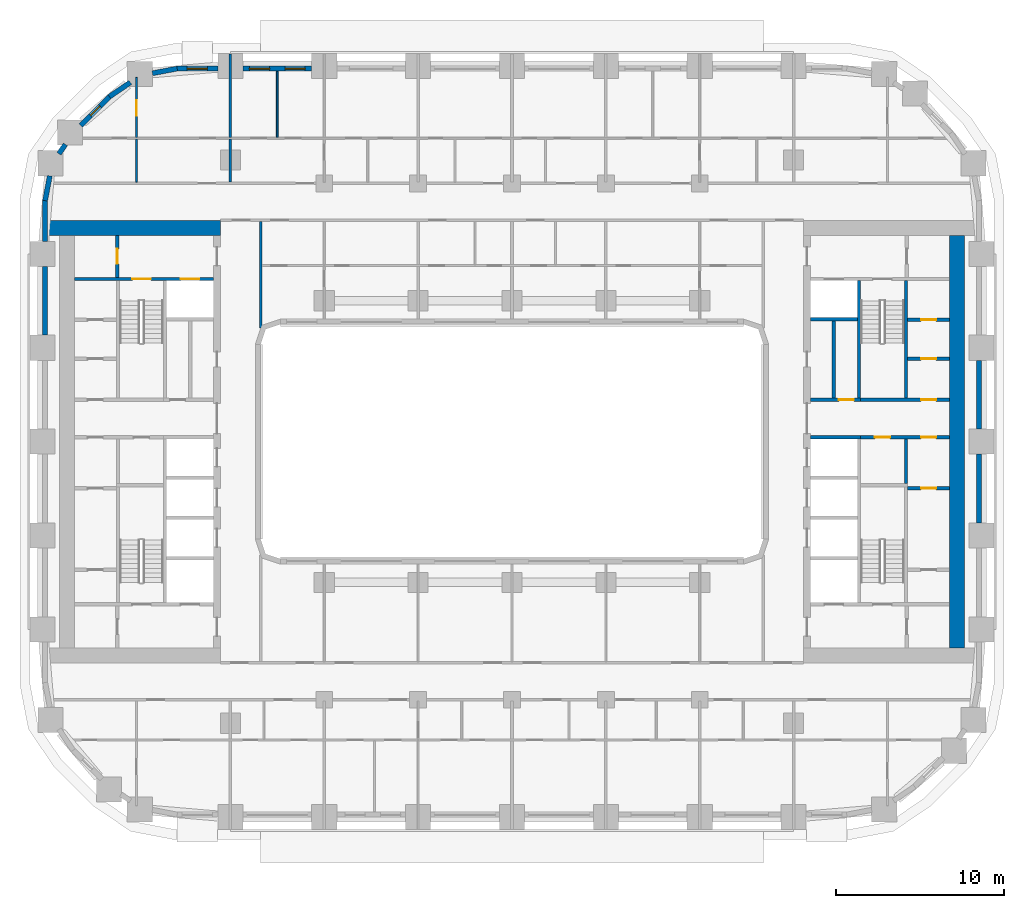
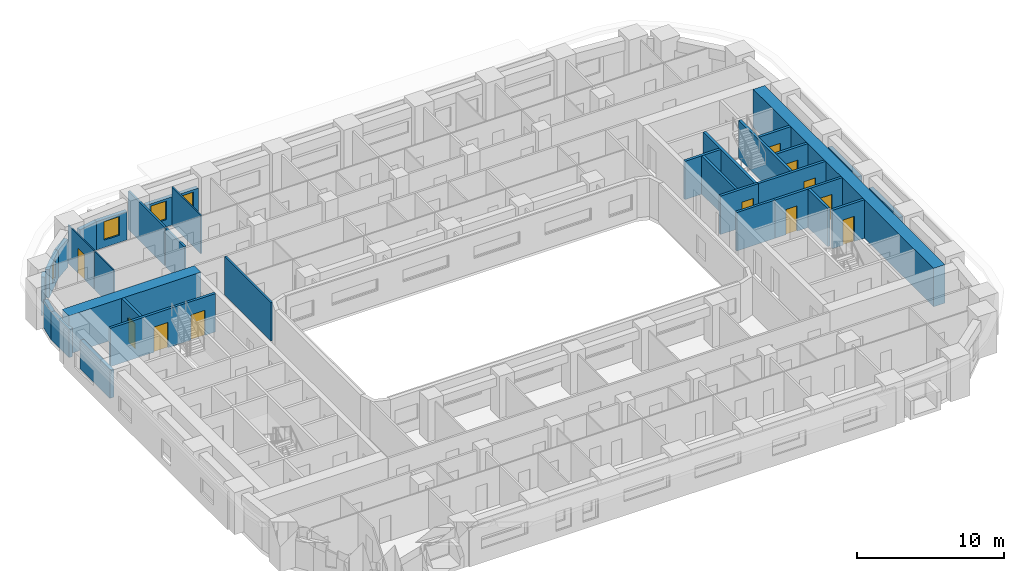
# One storey, part 7 of 22: 33 walls, 11 doors, 4 windows, 15 openings.
"""IFC4 building model written with IfcOpenShell, lengths in metres."""

from ifc_helpers import new_model, si_unit, direction, frame, frame_2d, origin, place, context, subcontext, project, spatial, rectangle, extrude, material, layer, layer_set, type_object, element, fill, save


model = new_model("IFC4")

# Units and contexts
model_context = context("Model", 3, precision=1e-05, world=origin(), true_north=direction((0.0, 1.0)))
body_context = subcontext(model_context, "Body", "Model", "MODEL_VIEW")
ifc_project = project(units=[si_unit("LENGTHUNIT", "METRE"), si_unit("AREAUNIT", "SQUARE_METRE"), si_unit("VOLUMEUNIT", "CUBIC_METRE"), si_unit("PLANEANGLEUNIT", "RADIAN"), si_unit("MASSUNIT", "GRAM", prefix="KILO")], contexts=[model_context])

# Site, building, storey
site_placement = place(None, origin())
site = spatial("IfcSite", under=ifc_project, at=site_placement, CompositionType="ELEMENT")
building_placement = place(site_placement, origin())
building = spatial("IfcBuilding", under=site, at=building_placement, Name="Kiln Ring Residences", CompositionType="ELEMENT")
storey_placement = place(building_placement, frame((0.0, 0.0, 44.5)))
storey = spatial("IfcBuildingStorey", under=building, at=storey_placement, Name="L10", CompositionType="ELEMENT", Elevation=44.5)

# Wall, opening, door
ifc_material_1 = material(Name="Gypsum board on steel studs", Category="steel")
ifc_layer_1 = layer(ifc_material_1, 0.199951171875)
ifc_layer_set_1 = layer_set([ifc_layer_1], Name="CORE-PARTITION-200")
wall_type_1 = type_object("IfcWallType", Name="CORE-PARTITION-200", PredefinedType="PARTITIONING", material=ifc_layer_set_1)
wall_1_placement = place(storey_placement, frame((-23.550048828125, 9.800048828125, 0.0), z_axis=(0.0, 0.0, 1.0), x_axis=(0.0, 1.0, 0.0)))
wall_1 = element("IfcWall", 1, at=wall_1_placement, inside=storey, type_object=wall_type_1, Name="Core partition west L10 4", PredefinedType="PARTITIONING", context=body_context, shape_type="SweptSolid", body=[
    extrude(rectangle(XDim=2.5, YDim=0.199951171875, at=frame_2d((1.25, 0.0))), origin(), (0.0, 0.0, 1.0), 3.199951171875),
])
opening_1_placement = place(wall_1_placement, frame((0.800048828125, 0.0, 0.0)))
opening_1 = element("IfcOpeningElement", 2, at=opening_1_placement, cuts=wall_1, Name="Opening L10-CW10", PredefinedType="OPENING", context=body_context, shape_type="SweptSolid", body=[
    extrude(rectangle(XDim=0.89990234375, YDim=2.10009765625, at=frame_2d((0.449951171875, 1.050048828125))), frame((0.0, 0.10986328125, 0.0), z_axis=(0.0, -1.0, 0.0), x_axis=(1.0, 0.0, 0.0)), (0.0, 0.0, 1.0), 0.219970703125),
])
ifc_material_2 = material(Name="Steel door leaf", Category="steel")
door_type_1 = type_object("IfcDoorType", Name="CORE-DOOR-ROOM", OperationType="SINGLE_SWING_LEFT", PredefinedType="DOOR", material=ifc_material_2)
door_1_placement = place(opening_1_placement, origin())
door_1 = element("IfcDoor", 3, at=door_1_placement, inside=storey, type_object=door_type_1, Name="Fire riser room L10-CW10", OperationType="SINGLE_SWING_RIGHT", OverallHeight=2.10009765625, OverallWidth=0.89990234375, PredefinedType="DOOR", context=body_context, shape_type="SweptSolid", body=[
    extrude(rectangle(XDim=0.89990234375, YDim=2.10009765625, at=frame_2d((0.449951171875, 1.050048828125))), frame((0.0, 0.02490234375, 0.0), z_axis=(0.0, -1.0, 0.0), x_axis=(1.0, 0.0, 0.0)), (0.0, 0.0, 1.0), 0.050048828125),
])
fill(opening_1, door_1)

# Wall
wall_2_placement = place(storey_placement, frame((23.5, -2.5, 0.0), z_axis=(0.0, 0.0, 1.0), x_axis=(0.0, 1.0, 0.0)))
element("IfcWall", 4, at=wall_2_placement, inside=storey, type_object=wall_type_1, Name="Core partition east L10 1", PredefinedType="PARTITIONING", context=body_context, shape_type="SweptSolid", body=[
    extrude(rectangle(XDim=2.64990234375, YDim=0.199951171875, at=frame_2d((1.324951171875, 0.0))), origin(), (0.0, 0.0, 1.0), 3.199951171875),
])

# Wall, openings, doors
wall_3_placement = place(storey_placement, frame((20.800048828125, 0.25, 0.0), z_axis=(0.0, 0.0, 1.0), x_axis=(1.0, 0.0, 0.0)))
wall_3 = element("IfcWall", 5, at=wall_3_placement, inside=storey, type_object=wall_type_1, Name="Core partition east L10 2", PredefinedType="PARTITIONING", context=body_context, shape_type="SweptSolid", body=[
    extrude(rectangle(XDim=5.300048828125, YDim=0.199951171875, at=frame_2d((2.64990234375, 0.0))), origin(), (0.0, 0.0, 1.0), 3.199951171875),
])
opening_2_placement = place(wall_3_placement, frame((0.85009765625, 0.0, 0.0)))
opening_2 = element("IfcOpeningElement", 6, at=opening_2_placement, cuts=wall_3, Name="Opening L10-CE15", PredefinedType="OPENING", context=body_context, shape_type="SweptSolid", body=[
    extrude(rectangle(XDim=0.89990234375, YDim=2.10009765625, at=frame_2d((0.449951171875, 1.050048828125))), frame((0.0, 0.10986328125, 0.0), z_axis=(0.0, -1.0, 0.0), x_axis=(1.0, 0.0, 0.0)), (0.0, 0.0, 1.0), 0.219970703125),
])
opening_3_placement = place(wall_3_placement, frame((3.60009765625, 0.0, 0.0)))
opening_3 = element("IfcOpeningElement", 7, at=opening_3_placement, cuts=wall_3, Name="Opening L10-CE18", PredefinedType="OPENING", context=body_context, shape_type="SweptSolid", body=[
    extrude(rectangle(XDim=0.89990234375, YDim=2.10009765625, at=frame_2d((0.449951171875, 1.050048828125))), frame((0.0, 0.10986328125, 0.0), z_axis=(0.0, -1.0, 0.0), x_axis=(1.0, 0.0, 0.0)), (0.0, 0.0, 1.0), 0.219970703125),
])
door_2_placement = place(opening_2_placement, origin())
door_2 = element("IfcDoor", 8, at=door_2_placement, inside=storey, type_object=door_type_1, Name="Cleaner's store L10-CE15", OperationType="SINGLE_SWING_RIGHT", OverallHeight=2.10009765625, OverallWidth=0.89990234375, PredefinedType="DOOR", context=body_context, shape_type="SweptSolid", body=[
    extrude(rectangle(XDim=0.89990234375, YDim=2.10009765625, at=frame_2d((0.449951171875, 1.050048828125))), frame((0.0, 0.02490234375, 0.0), z_axis=(0.0, -1.0, 0.0), x_axis=(1.0, 0.0, 0.0)), (0.0, 0.0, 1.0), 0.050048828125),
])
fill(opening_2, door_2)
door_3_placement = place(opening_3_placement, origin())
door_3 = element("IfcDoor", 9, at=door_3_placement, inside=storey, type_object=door_type_1, Name="Battery room L10-CE18", OperationType="SINGLE_SWING_LEFT", OverallHeight=2.10009765625, OverallWidth=0.89990234375, PredefinedType="DOOR", context=body_context, shape_type="SweptSolid", body=[
    extrude(rectangle(XDim=0.89990234375, YDim=2.10009765625, at=frame_2d((0.449951171875, 1.050048828125))), frame((0.0, 0.02490234375, 0.0), z_axis=(0.0, -1.0, 0.0), x_axis=(1.0, 0.0, 0.0)), (0.0, 0.0, 1.0), 0.050048828125),
])
fill(opening_3, door_3)

# Wall
wall_4_placement = place(storey_placement, frame((19.199951171875, 2.60009765625, 0.0), z_axis=(0.0, 0.0, 1.0), x_axis=(0.0, 1.0, 0.0)))
element("IfcWall", 10, at=wall_4_placement, inside=storey, type_object=wall_type_1, Name="Core partition east L10 3", PredefinedType="PARTITIONING", context=body_context, shape_type="SweptSolid", body=[
    extrude(rectangle(XDim=4.599853515625, YDim=0.199951171875, at=frame_2d((2.2998046875, 0.0))), origin(), (0.0, 0.0, 1.0), 3.199951171875),
])

# Wall, opening, door
wall_5_placement = place(storey_placement, frame((23.60009765625, -2.77490234375, 0.0), z_axis=(0.0, 0.0, 1.0), x_axis=(1.0, 0.0, 0.0)))
wall_5 = element("IfcWall", 11, at=wall_5_placement, inside=storey, type_object=wall_type_1, Name="Core partition east L10 7", PredefinedType="PARTITIONING", context=body_context, shape_type="SweptSolid", body=[
    extrude(rectangle(XDim=2.5, YDim=0.199951171875, at=frame_2d((1.25, 0.0))), origin(), (0.0, 0.0, 1.0), 3.199951171875),
])
opening_4_placement = place(wall_5_placement, frame((0.800048828125, 0.0, 0.0)))
opening_4 = element("IfcOpeningElement", 12, at=opening_4_placement, cuts=wall_5, Name="Opening L10-CE17", PredefinedType="OPENING", context=body_context, shape_type="SweptSolid", body=[
    extrude(rectangle(XDim=0.89990234375, YDim=2.10009765625, at=frame_2d((0.449951171875, 1.050048828125))), frame((0.0, 0.10986328125, 0.0), z_axis=(0.0, -1.0, 0.0), x_axis=(1.0, 0.0, 0.0)), (0.0, 0.0, 1.0), 0.219970703125),
])
door_4_placement = place(opening_4_placement, origin())
door_4 = element("IfcDoor", 13, at=door_4_placement, inside=storey, type_object=door_type_1, Name="Battery room L10-CE17", OperationType="SINGLE_SWING_LEFT", OverallHeight=2.10009765625, OverallWidth=0.89990234375, PredefinedType="DOOR", context=body_context, shape_type="SweptSolid", body=[
    extrude(rectangle(XDim=0.89990234375, YDim=2.10009765625, at=frame_2d((0.449951171875, 1.050048828125))), frame((0.0, 0.02490234375, 0.0), z_axis=(0.0, -1.0, 0.0), x_axis=(1.0, 0.0, 0.0)), (0.0, 0.0, 1.0), 0.050048828125),
])
fill(opening_4, door_4)

wall_6_placement = place(storey_placement, frame((23.60009765625, 4.933349609375, 0.0), z_axis=(0.0, 0.0, 1.0), x_axis=(1.0, 0.0, 0.0)))
wall_6 = element("IfcWall", 14, at=wall_6_placement, inside=storey, type_object=wall_type_1, Name="Core partition east L10 8", PredefinedType="PARTITIONING", context=body_context, shape_type="SweptSolid", body=[
    extrude(rectangle(XDim=2.5, YDim=0.199951171875, at=frame_2d((1.25, 0.0))), origin(), (0.0, 0.0, 1.0), 3.199951171875),
])
opening_5_placement = place(wall_6_placement, frame((0.800048828125, 0.0, 0.0)))
opening_5 = element("IfcOpeningElement", 15, at=opening_5_placement, cuts=wall_6, Name="Opening L10-CE19", PredefinedType="OPENING", context=body_context, shape_type="SweptSolid", body=[
    extrude(rectangle(XDim=0.89990234375, YDim=2.10009765625, at=frame_2d((0.449951171875, 1.050048828125))), frame((0.0, 0.10986328125, 0.0), z_axis=(0.0, -1.0, 0.0), x_axis=(1.0, 0.0, 0.0)), (0.0, 0.0, 1.0), 0.219970703125),
])
door_5_placement = place(opening_5_placement, origin())
door_5 = element("IfcDoor", 16, at=door_5_placement, inside=storey, type_object=door_type_1, Name="Electrical plant room L10-CE19", OperationType="SINGLE_SWING_LEFT", OverallHeight=2.10009765625, OverallWidth=0.89990234375, PredefinedType="DOOR", context=body_context, shape_type="SweptSolid", body=[
    extrude(rectangle(XDim=0.89990234375, YDim=2.10009765625, at=frame_2d((0.449951171875, 1.050048828125))), frame((0.0, 0.02490234375, 0.0), z_axis=(0.0, -1.0, 0.0), x_axis=(1.0, 0.0, 0.0)), (0.0, 0.0, 1.0), 0.050048828125),
])
fill(opening_5, door_5)

wall_7_placement = place(storey_placement, frame((23.60009765625, 7.2666015625, 0.0), z_axis=(0.0, 0.0, 1.0), x_axis=(1.0, 0.0, 0.0)))
wall_7 = element("IfcWall", 17, at=wall_7_placement, inside=storey, type_object=wall_type_1, Name="Core partition east L10 9", PredefinedType="PARTITIONING", context=body_context, shape_type="SweptSolid", body=[
    extrude(rectangle(XDim=2.5, YDim=0.199951171875, at=frame_2d((1.25, 0.0))), origin(), (0.0, 0.0, 1.0), 3.199951171875),
])
opening_6_placement = place(wall_7_placement, frame((0.800048828125, 0.0, 0.0)))
opening_6 = element("IfcOpeningElement", 18, at=opening_6_placement, cuts=wall_7, Name="Opening L10-CE20", PredefinedType="OPENING", context=body_context, shape_type="SweptSolid", body=[
    extrude(rectangle(XDim=0.89990234375, YDim=2.10009765625, at=frame_2d((0.449951171875, 1.050048828125))), frame((0.0, 0.10986328125, 0.0), z_axis=(0.0, -1.0, 0.0), x_axis=(1.0, 0.0, 0.0)), (0.0, 0.0, 1.0), 0.219970703125),
])
door_6_placement = place(opening_6_placement, origin())
door_6 = element("IfcDoor", 19, at=door_6_placement, inside=storey, type_object=door_type_1, Name="Comms room L10-CE20", OperationType="SINGLE_SWING_RIGHT", OverallHeight=2.10009765625, OverallWidth=0.89990234375, PredefinedType="DOOR", context=body_context, shape_type="SweptSolid", body=[
    extrude(rectangle(XDim=0.89990234375, YDim=2.10009765625, at=frame_2d((0.449951171875, 1.050048828125))), frame((0.0, 0.02490234375, 0.0), z_axis=(0.0, -1.0, 0.0), x_axis=(1.0, 0.0, 0.0)), (0.0, 0.0, 1.0), 0.050048828125),
])
fill(opening_6, door_6)

# Wall
ifc_material_3 = material(Name="Gypsum shaft wall system")
ifc_layer_2 = layer(ifc_material_3, 0.199951171875)
ifc_layer_set_2 = layer_set([ifc_layer_2], Name="CORE-SHAFT-WALL-200")
wall_type_2 = type_object("IfcWallType", Name="CORE-SHAFT-WALL-200", PredefinedType="PARTITIONING", material=ifc_layer_set_2)
wall_8_placement = place(storey_placement, frame((17.800048828125, 0.25, 0.0), z_axis=(0.0, 0.0, 1.0), x_axis=(1.0, 0.0, 0.0)))
element("IfcWall", 20, at=wall_8_placement, inside=storey, type_object=wall_type_2, Name="Core partition east L10 13", PredefinedType="PARTITIONING", context=body_context, shape_type="SweptSolid", body=[
    extrude(rectangle(XDim=3.0, YDim=0.199951171875, at=frame_2d((1.5, 0.0))), origin(), (0.0, 0.0, 1.0), 3.199951171875),
])

# Wall, opening, door
wall_9_placement = place(storey_placement, frame((17.800048828125, 2.5, 0.0), z_axis=(0.0, 0.0, 1.0), x_axis=(1.0, 0.0, 0.0)))
wall_9 = element("IfcWall", 21, at=wall_9_placement, inside=storey, type_object=wall_type_2, Name="Core partition east L10 14", PredefinedType="PARTITIONING", context=body_context, shape_type="SweptSolid", body=[
    extrude(rectangle(XDim=3.0, YDim=0.199951171875, at=frame_2d((1.5, 0.0))), origin(), (0.0, 0.0, 1.0), 3.199951171875),
])
opening_7_placement = place(wall_9_placement, frame((1.699951171875, 0.0, 0.0)))
opening_7 = element("IfcOpeningElement", 22, at=opening_7_placement, cuts=wall_9, Name="Opening L10-CE06", PredefinedType="OPENING", context=body_context, shape_type="SweptSolid", body=[
    extrude(rectangle(XDim=0.89990234375, YDim=2.10009765625, at=frame_2d((0.449951171875, 1.050048828125))), frame((0.0, 0.10986328125, 0.0), z_axis=(0.0, -1.0, 0.0), x_axis=(1.0, 0.0, 0.0)), (0.0, 0.0, 1.0), 0.219970703125),
])
door_7_placement = place(opening_7_placement, origin())
door_7 = element("IfcDoor", 23, at=door_7_placement, inside=storey, type_object=door_type_1, Name="Cleaner's store L10-CE06", OperationType="SINGLE_SWING_RIGHT", OverallHeight=2.10009765625, OverallWidth=0.89990234375, PredefinedType="DOOR", context=body_context, shape_type="SweptSolid", body=[
    extrude(rectangle(XDim=0.89990234375, YDim=2.10009765625, at=frame_2d((0.449951171875, 1.050048828125))), frame((0.0, 0.02490234375, 0.0), z_axis=(0.0, -1.0, 0.0), x_axis=(1.0, 0.0, 0.0)), (0.0, 0.0, 1.0), 0.050048828125),
])
fill(opening_7, door_7)

# Wall
wall_10_placement = place(storey_placement, frame((17.800048828125, 7.300048828125, 0.0), z_axis=(0.0, 0.0, 1.0), x_axis=(1.0, 0.0, 0.0)))
element("IfcWall", 24, at=wall_10_placement, inside=storey, type_object=wall_type_2, Name="Core partition east L10 15", PredefinedType="PARTITIONING", context=body_context, shape_type="SweptSolid", body=[
    extrude(rectangle(XDim=2.800048828125, YDim=0.199951171875, at=frame_2d((1.39990234375, 0.0))), origin(), (0.0, 0.0, 1.0), 3.199951171875),
])

# Wall, openings, doors
ifc_material_4 = material(Name="Concrete C40/50", Category="concrete")
ifc_layer_3 = layer(ifc_material_4, 0.199951171875)
ifc_layer_set_3 = layer_set([ifc_layer_3], Name="CORE-WALL-RC200")
wall_type_3 = type_object("IfcWallType", Name="CORE-WALL-RC200", PredefinedType="SHEAR", material=ifc_layer_set_3)
wall_11_placement = place(storey_placement, frame((-17.800048828125, 9.699951171875, 0.0), z_axis=(0.0, 0.0, 1.0), x_axis=(-1.0, 0.0, 0.0)))
wall_11 = element("IfcWall", 25, at=wall_11_placement, inside=storey, type_object=wall_type_3, Name="Core wall west L10 9", PredefinedType="SHEAR", context=body_context, shape_type="SweptSolid", body=[
    extrude(rectangle(XDim=8.300048828125, YDim=0.199951171875, at=frame_2d((4.14990234375, 0.0))), origin(), (0.0, 0.0, 1.0), 3.199951171875),
])
opening_8_placement = place(wall_11_placement, frame((0.85009765625, 0.0, 0.0)))
opening_8 = element("IfcOpeningElement", 26, at=opening_8_placement, cuts=wall_11, Name="Opening L10-CW07", PredefinedType="OPENING", context=body_context, shape_type="SweptSolid", body=[
    extrude(rectangle(XDim=1.10009765625, YDim=2.10009765625, at=frame_2d((0.550048828125, 1.050048828125))), frame((0.0, 0.10986328125, 0.0), z_axis=(0.0, -1.0, 0.0), x_axis=(1.0, 0.0, 0.0)), (0.0, 0.0, 1.0), 0.219970703125),
])
opening_9_placement = place(wall_11_placement, frame((3.75, 0.0, 0.0)))
opening_9 = element("IfcOpeningElement", 27, at=opening_9_placement, cuts=wall_11, Name="Opening L10-CW12", PredefinedType="OPENING", context=body_context, shape_type="SweptSolid", body=[
    extrude(rectangle(XDim=1.10009765625, YDim=2.10009765625, at=frame_2d((0.550048828125, 1.050048828125))), frame((0.0, 0.10986328125, 0.0), z_axis=(0.0, -1.0, 0.0), x_axis=(1.0, 0.0, 0.0)), (0.0, 0.0, 1.0), 0.219970703125),
])
ifc_material_5 = material(Name="Steel door leaf", Category="steel")
door_type_2 = type_object("IfcDoorType", Name="CORE-DOOR-LD", OperationType="DOUBLE_DOOR_SLIDING", PredefinedType="DOOR", material=ifc_material_5)
door_8_placement = place(opening_8_placement, origin())
door_8 = element("IfcDoor", 28, at=door_8_placement, inside=storey, type_object=door_type_2, Name="LD W-FF L10-CW07", OperationType="DOUBLE_DOOR_SLIDING", OverallHeight=2.10009765625, OverallWidth=1.10009765625, PredefinedType="DOOR", context=body_context, shape_type="SweptSolid", body=[
    extrude(rectangle(XDim=1.10009765625, YDim=2.10009765625, at=frame_2d((0.550048828125, 1.050048828125))), frame((0.0, 0.02490234375, 0.0), z_axis=(0.0, -1.0, 0.0), x_axis=(1.0, 0.0, 0.0)), (0.0, 0.0, 1.0), 0.050048828125),
])
fill(opening_8, door_8)
ifc_material_6 = material(Name="Steel door leaf", Category="steel")
door_type_3 = type_object("IfcDoorType", Name="CORE-DOOR-STAIR", OperationType="SINGLE_SWING_LEFT", PredefinedType="DOOR", material=ifc_material_6)
door_9_placement = place(opening_9_placement, origin())
door_9 = element("IfcDoor", 29, at=door_9_placement, inside=storey, type_object=door_type_3, Name="Stair W-STN L10-CW12", OperationType="SINGLE_SWING_RIGHT", OverallHeight=2.10009765625, OverallWidth=1.10009765625, PredefinedType="DOOR", context=body_context, shape_type="SweptSolid", body=[
    extrude(rectangle(XDim=1.10009765625, YDim=2.10009765625, at=frame_2d((0.550048828125, 1.050048828125))), frame((0.0, 0.02490234375, 0.0), z_axis=(0.0, -1.0, 0.0), x_axis=(1.0, 0.0, 0.0)), (0.0, 0.0, 1.0), 0.050048828125),
])
fill(opening_9, door_9)

# Wall
wall_12_placement = place(storey_placement, frame((20.699951171875, 2.60009765625, 0.0), z_axis=(0.0, 0.0, 1.0), x_axis=(0.0, 1.0, 0.0)))
element("IfcWall", 30, at=wall_12_placement, inside=storey, type_object=wall_type_3, Name="Core wall east L10 1", PredefinedType="SHEAR", context=body_context, shape_type="SweptSolid", body=[
    extrude(rectangle(XDim=7.0, YDim=0.199951171875, at=frame_2d((3.5, 0.0))), origin(), (0.0, 0.0, 1.0), 3.199951171875),
])

# Wall, opening, door
wall_13_placement = place(storey_placement, frame((20.800048828125, 2.5, 0.0), z_axis=(0.0, 0.0, 1.0), x_axis=(1.0, 0.0, 0.0)))
wall_13 = element("IfcWall", 31, at=wall_13_placement, inside=storey, type_object=wall_type_3, Name="Core wall east L10 3", PredefinedType="SHEAR", context=body_context, shape_type="SweptSolid", body=[
    extrude(rectangle(XDim=5.300048828125, YDim=0.199951171875, at=frame_2d((2.64990234375, 0.0))), origin(), (0.0, 0.0, 1.0), 3.199951171875),
])
opening_10_placement = place(wall_13_placement, frame((3.60009765625, 0.0, 0.0)))
opening_10 = element("IfcOpeningElement", 32, at=opening_10_placement, cuts=wall_13, Name="Opening L10-CE21", PredefinedType="OPENING", context=body_context, shape_type="SweptSolid", body=[
    extrude(rectangle(XDim=0.89990234375, YDim=2.10009765625, at=frame_2d((0.449951171875, 1.050048828125))), frame((0.0, 0.10986328125, 0.0), z_axis=(0.0, -1.0, 0.0), x_axis=(1.0, 0.0, 0.0)), (0.0, 0.0, 1.0), 0.219970703125),
])
door_10_placement = place(opening_10_placement, origin())
door_10 = element("IfcDoor", 33, at=door_10_placement, inside=storey, type_object=door_type_1, Name="UPS room L10-CE21", OperationType="SINGLE_SWING_LEFT", OverallHeight=2.10009765625, OverallWidth=0.89990234375, PredefinedType="DOOR", context=body_context, shape_type="SweptSolid", body=[
    extrude(rectangle(XDim=0.89990234375, YDim=2.10009765625, at=frame_2d((0.449951171875, 1.050048828125))), frame((0.0, 0.02490234375, 0.0), z_axis=(0.0, -1.0, 0.0), x_axis=(1.0, 0.0, 0.0)), (0.0, 0.0, 1.0), 0.050048828125),
])
fill(opening_10, door_10)

# Walls
wall_14_placement = place(storey_placement, frame((23.5, 2.60009765625, 0.0), z_axis=(0.0, 0.0, 1.0), x_axis=(0.0, 1.0, 0.0)))
element("IfcWall", 34, at=wall_14_placement, inside=storey, type_object=wall_type_3, Name="Core wall east L10 10", PredefinedType="SHEAR", context=body_context, shape_type="SweptSolid", body=[
    extrude(rectangle(XDim=7.0, YDim=0.199951171875, at=frame_2d((3.5, 0.0))), origin(), (0.0, 0.0, 1.0), 3.199951171875),
])
ifc_material_7 = material(Name="Concrete C60/75", Category="concrete")
ifc_layer_4 = layer(ifc_material_7, 0.89990234375)
ifc_layer_set_4 = layer_set([ifc_layer_4], Name="CORE-WALL-RC900")
wall_type_4 = type_object("IfcWallType", Name="CORE-WALL-RC900", PredefinedType="SHEAR", material=ifc_layer_set_4)
wall_15_placement = place(storey_placement, frame((-17.39990234375, 12.75, 0.0), z_axis=(0.0, 0.0, 1.0), x_axis=(-1.0, 0.0, 0.0)))
element("IfcWall", 35, at=wall_15_placement, inside=storey, type_object=wall_type_4, Name="Core wall west L10 4", PredefinedType="SHEAR", context=body_context, shape_type="SweptSolid", body=[
    extrude(rectangle(XDim=10.400146484375, YDim=0.89990234375, at=frame_2d((5.2001953125, 0.0))), origin(), (0.0, 0.0, 1.0), 3.199951171875),
])
wall_16_placement = place(storey_placement, frame((26.550048828125, -12.300048828125, 0.0), z_axis=(0.0, 0.0, 1.0), x_axis=(0.0, 1.0, 0.0)))
element("IfcWall", 36, at=wall_16_placement, inside=storey, type_object=wall_type_4, Name="Core wall east L10 7", PredefinedType="SHEAR", context=body_context, shape_type="SweptSolid", body=[
    extrude(rectangle(XDim=24.60009765625, YDim=0.89990234375, at=frame_2d((12.300048828125, 0.0))), origin(), (0.0, 0.0, 1.0), 3.199951171875),
])
ifc_material_8 = material(Name="Brick masonry, dark clay brick", Category="masonry")
ifc_layer_5 = layer(ifc_material_8, 0.300048828125)
ifc_layer_set_5 = layer_set([ifc_layer_5], Name="EW-300 BRICK WALL")
wall_type_5 = type_object("IfcWallType", Name="EW-300 BRICK WALL", PredefinedType="SOLIDWALL", material=ifc_layer_set_5)
for number, where, z_axis, x_axis, name in (
    (37, (27.85009765625, -4.85009765625, 0.0), (0.0, 0.0, 1.0), (0.0, 1.0, 0.0), "Facade wall L10 19"),
    (38, (27.85009765625, 0.75, 0.0), (0.0, 0.0, 1.0), (0.0, 1.0, 0.0), "Facade wall L10 20"),
):
    element("IfcWall", number, at=place(storey_placement, frame(where, z_axis=z_axis, x_axis=x_axis)), inside=storey, type_object=wall_type_5, Name=name, PredefinedType="SOLIDWALL", context=body_context, shape_type="SweptSolid", body=[
        extrude(rectangle(XDim=4.10009765625, YDim=0.300048828125, at=frame_2d((2.050048828125, 0.0))), origin(), (0.0, 0.0, 1.0), 2.35009765625),
    ])

# Wall, openings, windows
wall_17_placement = place(storey_placement, frame((-11.949951171875, 22.25, 0.0), z_axis=(0.0, 0.0, 1.0), x_axis=(-1.0, 0.0, 0.0)))
wall_17 = element("IfcWall", 39, at=wall_17_placement, inside=storey, type_object=wall_type_5, Name="Facade wall L10 34", PredefinedType="SOLIDWALL", context=body_context, shape_type="SweptSolid", body=[
    extrude(rectangle(XDim=4.10009765625, YDim=0.300048828125, at=frame_2d((2.050048828125, 0.0))), origin(), (0.0, 0.0, 1.0), 2.35009765625),
])
opening_11_placement = place(wall_17_placement, frame((0.387451171875, 0.0, 0.60009765625)))
opening_11 = element("IfcOpeningElement", 40, at=opening_11_placement, cuts=wall_17, Name="Opening W1", PredefinedType="OPENING", context=body_context, shape_type="SweptSolid", body=[
    extrude(rectangle(XDim=1.199951171875, YDim=1.550048828125, at=frame_2d((0.60009765625, 0.77490234375))), frame((0.0, 0.159912109375, 0.0), z_axis=(0.0, -1.0, 0.0), x_axis=(1.0, 0.0, 0.0)), (0.0, 0.0, 1.0), 0.320068359375),
])
opening_12_placement = place(wall_17_placement, frame((2.512451171875, 0.0, 0.60009765625)))
opening_12 = element("IfcOpeningElement", 41, at=opening_12_placement, cuts=wall_17, Name="Opening W1", PredefinedType="OPENING", context=body_context, shape_type="SweptSolid", body=[
    extrude(rectangle(XDim=1.199951171875, YDim=1.550048828125, at=frame_2d((0.60009765625, 0.77490234375))), frame((0.0, 0.159912109375, 0.0), z_axis=(0.0, -1.0, 0.0), x_axis=(1.0, 0.0, 0.0)), (0.0, 0.0, 1.0), 0.320068359375),
])
ifc_material_9 = material(Name="Aluminium frame with double glazing", Category="aluminium")
window_type_1 = type_object("IfcWindowType", Name="WINDOW 1200 x 1550", PartitioningType="SINGLE_PANEL", PredefinedType="WINDOW", material=ifc_material_9)
window_1_placement = place(opening_11_placement, origin())
window_1 = element("IfcWindow", 42, at=window_1_placement, inside=storey, type_object=window_type_1, Name="Window L10 20", OverallHeight=1.550048828125, OverallWidth=1.199951171875, PartitioningType="SINGLE_PANEL", PredefinedType="WINDOW", context=body_context, shape_type="SweptSolid", body=[
    extrude(rectangle(XDim=1.199951171875, YDim=1.550048828125, at=frame_2d((0.60009765625, 0.77490234375))), frame((0.0, 0.030029296875, 0.0), z_axis=(0.0, -1.0, 0.0), x_axis=(1.0, 0.0, 0.0)), (0.0, 0.0, 1.0), 0.06005859375),
])
fill(opening_11, window_1)
window_2_placement = place(opening_12_placement, origin())
window_2 = element("IfcWindow", 43, at=window_2_placement, inside=storey, type_object=window_type_1, Name="Window L10 21", OverallHeight=1.550048828125, OverallWidth=1.199951171875, PartitioningType="SINGLE_PANEL", PredefinedType="WINDOW", context=body_context, shape_type="SweptSolid", body=[
    extrude(rectangle(XDim=1.199951171875, YDim=1.550048828125, at=frame_2d((0.60009765625, 0.77490234375))), frame((0.0, 0.030029296875, 0.0), z_axis=(0.0, -1.0, 0.0), x_axis=(1.0, 0.0, 0.0)), (0.0, 0.0, 1.0), 0.06005859375),
])
fill(opening_12, window_2)

# Wall, opening, window
wall_18_placement = place(storey_placement, frame((-17.550048828125, 22.25, 0.0), z_axis=(0.0, 0.0, 1.0), x_axis=(-1.0, 0.0, 0.0)))
wall_18 = element("IfcWall", 44, at=wall_18_placement, inside=storey, type_object=wall_type_5, Name="Facade wall L10 35", PredefinedType="SOLIDWALL", context=body_context, shape_type="SweptSolid", body=[
    extrude(rectangle(XDim=2.449951171875, YDim=0.300048828125, at=frame_2d((1.22509765625, 0.0))), origin(), (0.0, 0.0, 1.0), 2.35009765625),
])
opening_13_placement = place(wall_18_placement, frame((0.625, 0.0, 0.60009765625)))
opening_13 = element("IfcOpeningElement", 45, at=opening_13_placement, cuts=wall_18, Name="Opening W1", PredefinedType="OPENING", context=body_context, shape_type="SweptSolid", body=[
    extrude(rectangle(XDim=1.199951171875, YDim=1.550048828125, at=frame_2d((0.60009765625, 0.77490234375))), frame((0.0, 0.159912109375, 0.0), z_axis=(0.0, -1.0, 0.0), x_axis=(1.0, 0.0, 0.0)), (0.0, 0.0, 1.0), 0.320068359375),
])
window_3_placement = place(opening_13_placement, origin())
window_3 = element("IfcWindow", 46, at=window_3_placement, inside=storey, type_object=window_type_1, Name="Window L10 22", OverallHeight=1.550048828125, OverallWidth=1.199951171875, PartitioningType="SINGLE_PANEL", PredefinedType="WINDOW", context=body_context, shape_type="SweptSolid", body=[
    extrude(rectangle(XDim=1.199951171875, YDim=1.550048828125, at=frame_2d((0.60009765625, 0.77490234375))), frame((0.0, 0.030029296875, 0.0), z_axis=(0.0, -1.0, 0.0), x_axis=(1.0, 0.0, 0.0)), (0.0, 0.0, 1.0), 0.06005859375),
])
fill(opening_13, window_3)

# Walls
for number, where, z_axis, x_axis, name in (
    (47, (-19.971923828125, 22.252685546875, 0.0), (0.0, 0.0, 1.0), (-0.982287454367, -0.187380247071, 0.0), "Facade wall L10 36"),
    (48, (-22.76708984375, 21.425537109375, 0.0), (0.0, 0.0, 1.0), (-0.827028997312, -0.562159263559, 0.0), "Facade wall L10 37"),
):
    element("IfcWall", number, at=place(storey_placement, frame(where, z_axis=z_axis, x_axis=x_axis)), inside=storey, type_object=wall_type_5, Name=name, PredefinedType="SOLIDWALL", context=body_context, shape_type="SweptSolid", body=[
        extrude(rectangle(XDim=1.506103515625, YDim=0.300048828125, at=frame_2d((0.7529296875, 0.0))), origin(), (0.0, 0.0, 1.0), 2.35009765625),
    ])

# Wall, opening, window
wall_19_placement = place(storey_placement, frame((-23.990966796875, 20.596923828125, 0.0), z_axis=(0.0, 0.0, 1.0), x_axis=(-0.707106781187, -0.707106781187, 0.0)))
wall_19 = element("IfcWall", 49, at=wall_19_placement, inside=storey, type_object=wall_type_5, Name="Facade wall L10 38", PredefinedType="SOLIDWALL", context=body_context, shape_type="SweptSolid", body=[
    extrude(rectangle(XDim=2.449951171875, YDim=0.300048828125, at=frame_2d((1.22509765625, 0.0))), origin(), (0.0, 0.0, 1.0), 2.35009765625),
])
opening_14_placement = place(wall_19_placement, frame((0.824951171875, 0.0, 0.60009765625)))
opening_14 = element("IfcOpeningElement", 50, at=opening_14_placement, cuts=wall_19, Name="Opening W5", PredefinedType="OPENING", context=body_context, shape_type="SweptSolid", body=[
    extrude(rectangle(XDim=0.800048828125, YDim=1.550048828125, at=frame_2d((0.39990234375, 0.77490234375))), frame((0.0, 0.159912109375, 0.0), z_axis=(0.0, -1.0, 0.0), x_axis=(1.0, 0.0, 0.0)), (0.0, 0.0, 1.0), 0.320068359375),
])
ifc_material_10 = material(Name="Aluminium frame with double glazing", Category="aluminium")
window_type_2 = type_object("IfcWindowType", Name="WINDOW 800 x 1550", PartitioningType="SINGLE_PANEL", PredefinedType="WINDOW", material=ifc_material_10)
window_4_placement = place(opening_14_placement, origin())
window_4 = element("IfcWindow", 51, at=window_4_placement, inside=storey, type_object=window_type_2, Name="Window L10 23", OverallHeight=1.550048828125, OverallWidth=0.800048828125, PartitioningType="SINGLE_PANEL", PredefinedType="WINDOW", context=body_context, shape_type="SweptSolid", body=[
    extrude(rectangle(XDim=0.800048828125, YDim=1.550048828125, at=frame_2d((0.39990234375, 0.77490234375))), frame((0.0, 0.030029296875, 0.0), z_axis=(0.0, -1.0, 0.0), x_axis=(1.0, 0.0, 0.0)), (0.0, 0.0, 1.0), 0.06005859375),
])
fill(opening_14, window_4)

# Walls
wall_20_placement = place(storey_placement, frame((-26.644775390625, 17.72705078125, 0.0), z_axis=(0.0, 0.0, 1.0), x_axis=(-0.562083182981, -0.827080706709, 0.0)))
element("IfcWall", 52, at=wall_20_placement, inside=storey, type_object=wall_type_5, Name="Facade wall L10 39", PredefinedType="SOLIDWALL", context=body_context, shape_type="SweptSolid", body=[
    extrude(rectangle(XDim=0.67724609375, YDim=0.300048828125, at=frame_2d((0.338623046875, 0.0))), origin(), (0.0, 0.0, 1.0), 3.199951171875),
])
wall_21_placement = place(storey_placement, frame((-27.570556640625, 15.851318359375, 0.0), z_axis=(0.0, 0.0, 1.0), x_axis=(-0.187223837635, -0.982317277982, 0.0)))
element("IfcWall", 53, at=wall_21_placement, inside=storey, type_object=wall_type_5, Name="Facade wall L10 40", PredefinedType="SOLIDWALL", context=body_context, shape_type="SweptSolid", body=[
    extrude(rectangle(XDim=1.506103515625, YDim=0.300048828125, at=frame_2d((0.7529296875, 0.0))), origin(), (0.0, 0.0, 1.0), 2.35009765625),
])
wall_22_placement = place(storey_placement, frame((-27.85009765625, 14.39990234375, 0.0), z_axis=(0.0, 0.0, 1.0), x_axis=(0.0, -1.0, 0.0)))
element("IfcWall", 54, at=wall_22_placement, inside=storey, type_object=wall_type_5, Name="Facade wall L10 41", PredefinedType="SOLIDWALL", context=body_context, shape_type="SweptSolid", body=[
    extrude(rectangle(XDim=2.449951171875, YDim=0.300048828125, at=frame_2d((1.22509765625, 0.0))), origin(), (0.0, 0.0, 1.0), 2.35009765625),
])
wall_23_placement = place(storey_placement, frame((-27.85009765625, 10.449951171875, 0.0), z_axis=(0.0, 0.0, 1.0), x_axis=(0.0, -1.0, 0.0)))
element("IfcWall", 55, at=wall_23_placement, inside=storey, type_object=wall_type_5, Name="Facade wall L10 42", PredefinedType="SOLIDWALL", context=body_context, shape_type="SweptSolid", body=[
    extrude(rectangle(XDim=4.099853515625, YDim=0.300048828125, at=frame_2d((2.0498046875, 0.0))), origin(), (0.0, 0.0, 1.0), 2.35009765625),
])
ifc_material_11 = material(Name="Gypsum board on steel studs", Category="steel")
ifc_layer_6 = layer(ifc_material_11, 0.10009765625)
ifc_layer_set_6 = layer_set([ifc_layer_6], Name="PARTITION-100")
wall_type_6 = type_object("IfcWallType", Name="PARTITION-100", PredefinedType="PARTITIONING", material=ifc_layer_set_6)
wall_24_placement = place(storey_placement, frame((-22.39990234375, 15.47509765625, 0.0), z_axis=(0.0, 0.0, 1.0), x_axis=(0.0, 1.0, 0.0)))
element("IfcWall", 56, at=wall_24_placement, inside=storey, type_object=wall_type_6, Name="Partition 009", PredefinedType="PARTITIONING", context=body_context, shape_type="SweptSolid", body=[
    extrude(rectangle(XDim=2.574951171875, YDim=0.10009765625, at=frame_2d((1.28759765625, 0.0))), origin(), (0.0, 0.0, 1.0), 3.199951171875),
])

# Wall, opening, door
wall_25_placement = place(storey_placement, frame((-22.39990234375, 18.14990234375, 0.0), z_axis=(0.0, 0.0, 1.0), x_axis=(0.0, 1.0, 0.0)))
wall_25 = element("IfcWall", 57, at=wall_25_placement, inside=storey, type_object=wall_type_6, Name="Partition 010", PredefinedType="PARTITIONING", context=body_context, shape_type="SweptSolid", body=[
    extrude(rectangle(XDim=3.570068359375, YDim=0.10009765625, at=frame_2d((1.78515625, 0.0))), origin(), (0.0, 0.0, 1.0), 3.199951171875),
])
opening_15_placement = place(wall_25_placement, frame((1.298095703125, 0.0, 0.0)))
opening_15 = element("IfcOpeningElement", 58, at=opening_15_placement, cuts=wall_25, Name="Opening L10-D022", PredefinedType="OPENING", context=body_context, shape_type="SweptSolid", body=[
    extrude(rectangle(XDim=0.89990234375, YDim=2.10009765625, at=frame_2d((0.449951171875, 1.050048828125))), frame((0.0, 0.06005859375, 0.0), z_axis=(0.0, -1.0, 0.0), x_axis=(1.0, 0.0, 0.0)), (0.0, 0.0, 1.0), 0.1201171875),
])
ifc_material_12 = material(Name="Timber door leaf", Category="wood")
door_type_4 = type_object("IfcDoorType", Name="FLAT-DOOR-900-PL", OperationType="SINGLE_SWING_LEFT", PredefinedType="DOOR", material=ifc_material_12)
door_11_placement = place(opening_15_placement, origin())
door_11 = element("IfcDoor", 59, at=door_11_placement, inside=storey, type_object=door_type_4, Name="Door L10-D022", OperationType="SINGLE_SWING_RIGHT", OverallHeight=2.10009765625, OverallWidth=0.89990234375, PredefinedType="DOOR", context=body_context, shape_type="SweptSolid", body=[
    extrude(rectangle(XDim=0.89990234375, YDim=2.10009765625, at=frame_2d((0.449951171875, 1.050048828125))), frame((0.0, 0.02490234375, 0.0), z_axis=(0.0, -1.0, 0.0), x_axis=(1.0, 0.0, 0.0)), (0.0, 0.0, 1.0), 0.050048828125),
])
fill(opening_15, door_11)

# Walls
wall_26_placement = place(storey_placement, frame((-14.0, 18.14990234375, 0.0), z_axis=(0.0, 0.0, 1.0), x_axis=(0.0, 1.0, 0.0)))
element("IfcWall", 60, at=wall_26_placement, inside=storey, type_object=wall_type_6, Name="Partition 018", PredefinedType="PARTITIONING", context=body_context, shape_type="SweptSolid", body=[
    extrude(rectangle(XDim=3.93017578125, YDim=0.10009765625, at=frame_2d((1.965087890625, 0.0))), origin(), (0.0, 0.0, 1.0), 3.199951171875),
])
ifc_material_13 = material(Name="Brick masonry partition", Category="masonry")
ifc_layer_7 = layer(ifc_material_13, 0.14990234375)
ifc_layer_set_7 = layer_set([ifc_layer_7], Name="PARTITION-150-ei60")
wall_type_7 = type_object("IfcWallType", Name="PARTITION-150-ei60", PredefinedType="PARTITIONING", material=ifc_layer_set_7)
wall_27_placement = place(storey_placement, frame((-16.800048828125, 15.47509765625, 0.0), z_axis=(0.0, 0.0, 1.0), x_axis=(0.0, 1.0, 0.0)))
element("IfcWall", 61, at=wall_27_placement, inside=storey, type_object=wall_type_7, Name="Partition 013", PredefinedType="PARTITIONING", context=body_context, shape_type="SweptSolid", body=[
    extrude(rectangle(XDim=2.574951171875, YDim=0.14990234375, at=frame_2d((1.28759765625, 0.0))), origin(), (0.0, 0.0, 1.0), 3.199951171875),
])
wall_28_placement = place(storey_placement, frame((-16.800048828125, 18.14990234375, 0.0), z_axis=(0.0, 0.0, 1.0), x_axis=(0.0, 1.0, 0.0)))
element("IfcWall", 62, at=wall_28_placement, inside=storey, type_object=wall_type_7, Name="Partition 014", PredefinedType="PARTITIONING", context=body_context, shape_type="SweptSolid", body=[
    extrude(rectangle(XDim=4.97998046875, YDim=0.14990234375, at=frame_2d((2.489990234375, 0.0))), origin(), (0.0, 0.0, 1.0), 3.199951171875),
])
wall_29_placement = place(storey_placement, frame((-15.0, 6.768798828125, 0.0), z_axis=(0.0, 0.0, 1.0), x_axis=(0.0, 1.0, 0.0)))
element("IfcWall", 63, at=wall_29_placement, inside=storey, type_object=wall_type_7, Name="Partition 016", PredefinedType="PARTITIONING", context=body_context, shape_type="SweptSolid", body=[
    extrude(rectangle(XDim=6.356201171875, YDim=0.14990234375, at=frame_2d((3.17822265625, 0.0))), origin(), (0.0, 0.0, 1.0), 3.199951171875),
])

save(model, "model.ifc")
